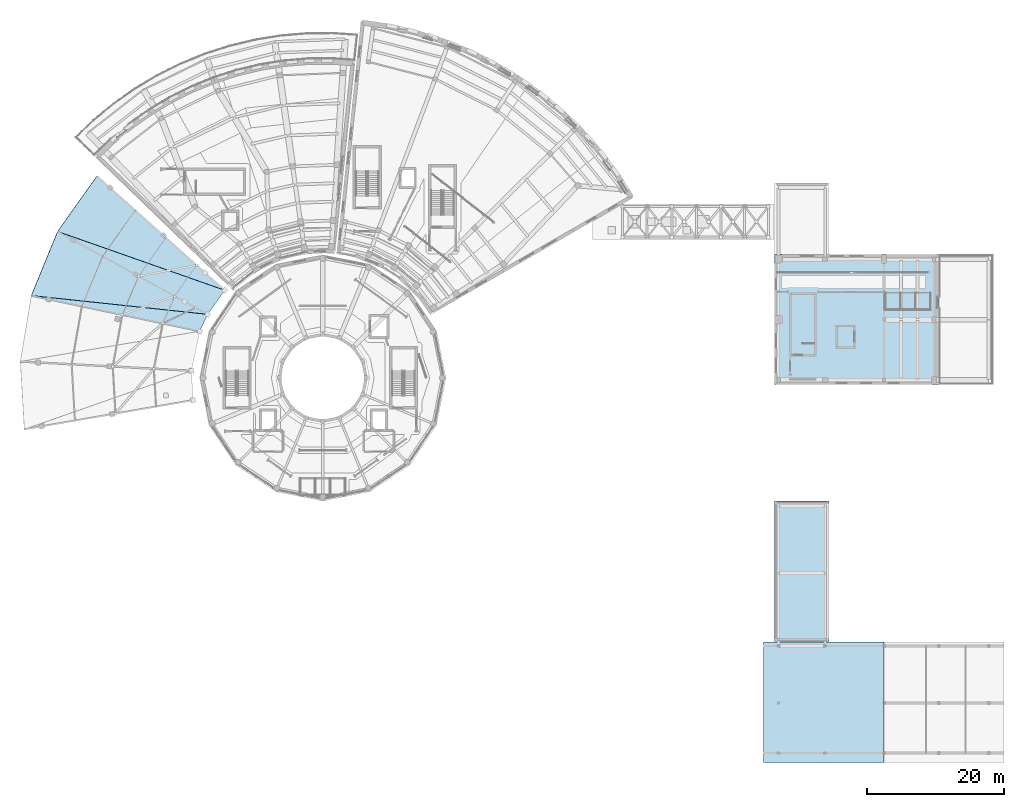
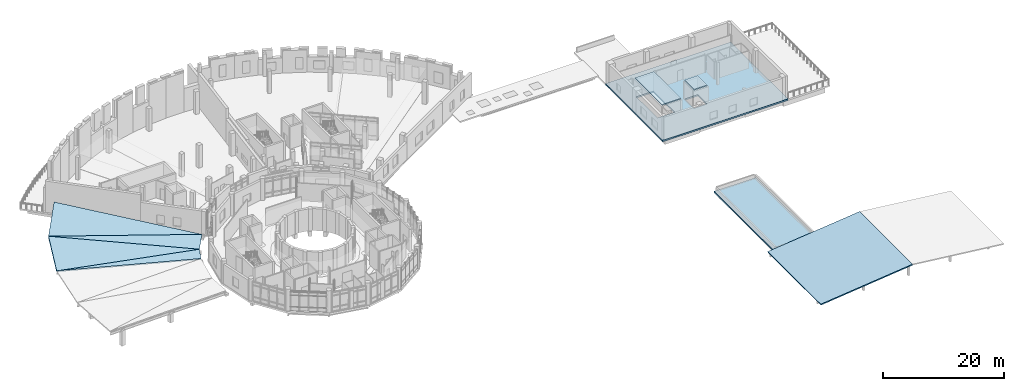
# One storey, part 24 of 49: 9 slabs.
"""IFC4 building model written with IfcOpenShell, lengths in metres."""

from ifc_helpers import new_model, si_unit, direction, frame, origin, place, context, subcontext, project, spatial, polyline, outline, extrude, material, layer, layer_set, type_object, element, save


model = new_model("IFC4")

# Units and contexts
model_context = context("Model", 3, precision=1e-05, world=origin(), true_north=direction((0.0, 1.0)))
body_context = subcontext(model_context, "Body", "Model", "MODEL_VIEW")
ifc_project = project(units=[si_unit("LENGTHUNIT", "METRE"), si_unit("AREAUNIT", "SQUARE_METRE"), si_unit("VOLUMEUNIT", "CUBIC_METRE"), si_unit("PLANEANGLEUNIT", "RADIAN"), si_unit("MASSUNIT", "GRAM", prefix="KILO")], contexts=[model_context])

# Site, building, storey
site_placement = place(None, origin())
site = spatial("IfcSite", under=ifc_project, at=site_placement, CompositionType="ELEMENT")
building_placement = place(site_placement, origin())
building = spatial("IfcBuilding", under=site, at=building_placement, Name="Soyqirgoq Riverine Aquarium", CompositionType="ELEMENT")
storey_placement = place(building_placement, frame((0.0, 0.0, 15.0)))
storey = spatial("IfcBuildingStorey", under=building, at=storey_placement, Name="L04", CompositionType="ELEMENT", Elevation=15.0)

# Slabs
ifc_material_1 = material(Name="Concrete C35/45", Category="concrete")
ifc_layer_1 = layer(ifc_material_1, 0.25)
ifc_layer_set_1 = layer_set([ifc_layer_1], Name="Concrete C35/45")
slab_type_1 = type_object("IfcSlabType", Name="FloorSlab_250_C35", PredefinedType="FLOOR", material=ifc_layer_set_1)
slab_1_placement = place(storey_placement, frame((0.0, 0.0, 3.60009765625)))
element("IfcSlab", 1, at=slab_1_placement, inside=storey, type_object=slab_type_1, Name="Lift GL-2 Shaft Overrun Cap Slab", PredefinedType="FLOOR", context=body_context, shape_type="SweptSolid", body=[
    extrude(outline(polyline([(131.1201171875, 61.419921875), (133.679931640625, 61.419921875), (133.679931640625, 64.580078125), (131.1201171875, 64.580078125), (131.1201171875, 61.419921875)])), origin(), (0.0, 0.0, 1.0), 0.25),
])
ifc_material_2 = material(Name="Concrete C35/45", Category="concrete")
ifc_layer_2 = layer(ifc_material_2, 0.300048828125)
ifc_layer_set_2 = layer_set([ifc_layer_2], Name="Concrete C35/45")
slab_type_2 = type_object("IfcSlabType", Name="FloorSlab_300_C35", PredefinedType="FLOOR", material=ifc_layer_set_2)
slab_2_placement = place(storey_placement, frame((0.0, 0.0, -0.300048828125)))
element("IfcSlab", 2, at=slab_2_placement, inside=storey, type_object=slab_type_2, Name="V7 L04 Suspended Floor Slab", PredefinedType="FLOOR", context=body_context, shape_type="SweptSolid", body=[
    extrude(outline(polyline([(122.0, 56.0), (146.0, 56.0), (146.0, 75.0), (122.0, 75.0), (122.0, 56.0)]), holes=[polyline([(127.800048828125, 62.074951171875), (127.800048828125, 69.10009765625), (124.5, 69.10009765625), (124.5, 62.074951171875), (127.800048828125, 62.074951171875)]), polyline([(131.14990234375, 61.449951171875), (133.64990234375, 61.449951171875), (133.64990234375, 64.550048828125), (131.14990234375, 64.550048828125), (131.14990234375, 61.449951171875)])]), origin(), (0.0, 0.0, 1.0), 0.300048828125),
])
ifc_material_3 = material(Name="Concrete C35/45", Category="concrete")
ifc_layer_3 = layer(ifc_material_3, 0.219970703125)
ifc_layer_set_3 = layer_set([ifc_layer_3], Name="Concrete C35/45")
slab_type_3 = type_object("IfcSlabType", Name="PrairieRoof_220_C35", PredefinedType="ROOF", material=ifc_layer_set_3)
slab_3_placement = place(storey_placement, frame((41.68701171875, 69.79736328125, 0.719970703125), z_axis=(0.096774209625, -0.068645763195, 0.9929363079), x_axis=(-0.740275727827, 0.661883344569, 0.117907951263)))
element("IfcSlab", 3, at=slab_3_placement, inside=storey, type_object=slab_type_3, Name="V3 Sloped Prairie Roof Panel 01A", PredefinedType="ROOF", context=body_context, shape_type="SweptSolid", body=[
    extrude(outline(polyline([(0.0, 0.0), (25.226163312223285, 1.9359513991901167e-15), (24.117057536120782, 9.879721299061709), (0.0, 0.0)])), origin(), (0.0, 0.0, -1.0), 0.219970703125),
])
slab_4_placement = place(storey_placement, frame((41.68701171875, 69.79736328125, 0.719970703125), z_axis=(0.096772856306, -0.068649566999, 0.992936176818), x_axis=(-0.937227632422, 0.329514434763, 0.114125379768)))
element("IfcSlab", 4, at=slab_4_placement, inside=storey, type_object=slab_type_3, Name="V3 Sloped Prairie Roof Panel 01B", PredefinedType="ROOF", context=body_context, shape_type="SweptSolid", body=[
    extrude(outline(polyline([(0.0, 0.0), (26.062259248723883, -2.914335439641036e-16), (1.1798451091003541, 4.149185449627574), (0.0, 0.0)])), origin(), (0.0, 0.0, -1.0), 0.219970703125),
])
slab_5_placement = place(storey_placement, frame((120.39990234375, 0.800048828125, 0.85009765625), z_axis=(-0.110118282371, 0.0, 0.993918489559), x_axis=(0.993918489559, 0.0, 0.110118282371)))
element("IfcSlab", 5, at=slab_5_placement, inside=storey, type_object=slab_type_3, Name="V6 West Sloped Prairie Eave Roof", PredefinedType="ROOF", context=body_context, shape_type="SweptSolid", body=[
    extrude(outline(polyline([(0.0, 0.0), (17.70778775234878, 0.0), (17.70778775234878, 17.599853515625), (0.0, 17.599853515625), (0.0, 0.0)])), origin(), (0.0, 0.0, -1.0), 0.219970703125),
])
slab_6_placement = place(storey_placement, frame((0.0, 0.0, 3.60009765625)))
element("IfcSlab", 6, at=slab_6_placement, inside=storey, type_object=slab_type_3, Name="CORE-7 L04 Stairwell Overrun Roof Slab", PredefinedType="ROOF", context=body_context, shape_type="SweptSolid", body=[
    extrude(outline(polyline([(127.97509765625, 60.324951171875), (127.97509765625, 69.27490234375), (124.324951171875, 69.27490234375), (124.324951171875, 60.324951171875), (127.97509765625, 60.324951171875)])), origin(), (0.0, 0.0, 1.0), 0.219970703125),
])
ifc_material_4 = material(Name="Concrete C35/45", Category="concrete")
ifc_layer_4 = layer(ifc_material_4, 0.239990234375)
ifc_layer_set_4 = layer_set([ifc_layer_4], Name="Concrete C35/45")
slab_type_4 = type_object("IfcSlabType", Name="PrairieRoof_240_C35", PredefinedType="ROOF", material=ifc_layer_set_4)
slab_7_placement = place(storey_placement, frame((39.191162109375, 66.279052734375, 0.719970703125), z_axis=(0.109778332388, -0.045089294052, 0.992932864448), x_axis=(-0.869358350643, 0.479909966194, 0.11790878896)))
element("IfcSlab", 7, at=slab_7_placement, inside=storey, type_object=slab_type_4, Name="V3 Sloped Prairie Roof Panel 02A", PredefinedType="ROOF", context=body_context, shape_type="SweptSolid", body=[
    extrude(outline(polyline([(0.0, 0.0), (25.225984090043703, 6.800116025829084e-16), (24.06940105573136, 10.058529515635254), (0.0, 0.0)])), origin(), (0.0, 0.0, -1.0), 0.239990234375),
])
slab_8_placement = place(storey_placement, frame((39.191162109375, 66.279052734375, 0.719970703125), z_axis=(0.109173392963, -0.050568509101, 0.992735612415), x_axis=(-0.987920850017, 0.104968930028, 0.11399086731)))
element("IfcSlab", 8, at=slab_8_placement, inside=storey, type_object=slab_type_4, Name="V3 Sloped Prairie Roof Panel 02B", PredefinedType="ROOF", context=body_context, shape_type="SweptSolid", body=[
    extrude(outline(polyline([(0.0, 0.0), (26.086588186241364, 4.718447854656915e-16), (0.8678016684678912, 2.569530839039503), (0.0, 0.0)])), origin(), (0.0, 0.0, -1.0), 0.239990234375),
])
ifc_material_5 = material(Name="Concrete C35/45", Category="concrete")
ifc_layer_5 = layer(ifc_material_5, 0.260009765625)
ifc_layer_set_5 = layer_set([ifc_layer_5], Name="Concrete C35/45")
slab_type_5 = type_object("IfcSlabType", Name="PrairieRoof_260_C35", PredefinedType="ROOF", material=ifc_layer_set_5)
slab_9_placement = place(storey_placement, frame((0.0, 0.0, -0.260009765625)))
element("IfcSlab", 9, at=slab_9_placement, inside=storey, type_object=slab_type_5, Name="V6 North Wing Flat Roof Deck", PredefinedType="ROOF", context=body_context, shape_type="SweptSolid", body=[
    extrude(outline(polyline([(122.0, 18.5), (130.0, 18.5), (130.0, 39.0), (122.0, 39.0), (122.0, 18.5)])), origin(), (0.0, 0.0, 1.0), 0.260009765625),
])

save(model, "model.ifc")
